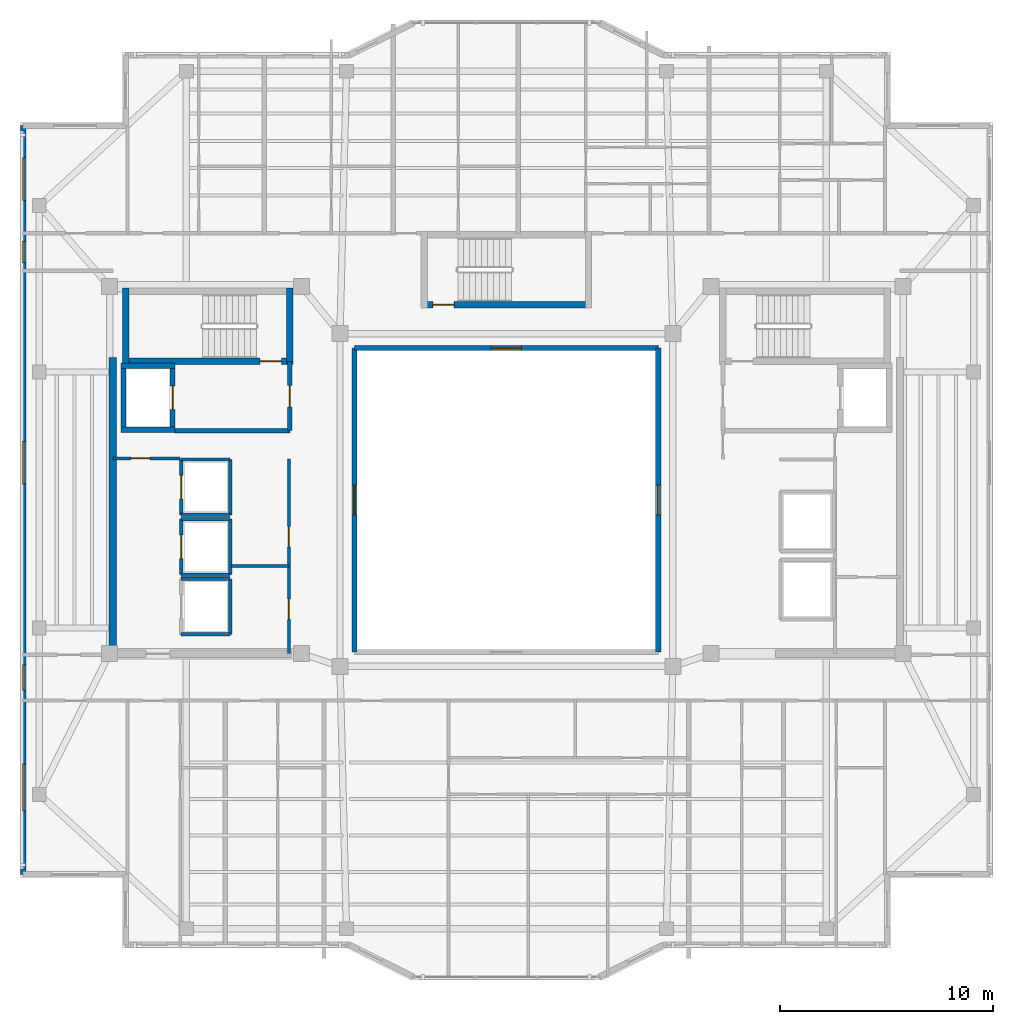
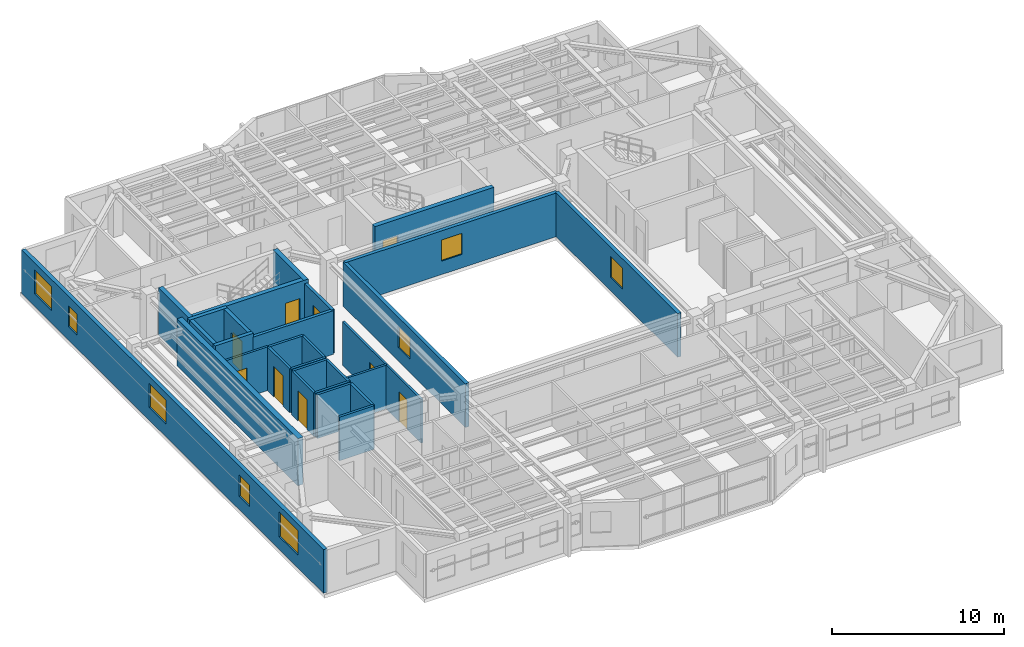
# One storey, part 7 of 14: 29 walls, 9 doors, 8 windows, 17 openings.
"""IFC4 building model written with IfcOpenShell, lengths in metres."""

from ifc_helpers import new_model, si_unit, direction, frame, frame_2d, origin, place, context, subcontext, project, spatial, rectangle, extrude, material, layer, layer_set, type_object, element, fill, save


model = new_model("IFC4")

# Units and contexts
model_context = context("Model", 3, precision=1e-05, world=origin(), true_north=direction((0.0, 1.0)))
body_context = subcontext(model_context, "Body", "Model", "MODEL_VIEW")
ifc_project = project(units=[si_unit("LENGTHUNIT", "METRE"), si_unit("AREAUNIT", "SQUARE_METRE"), si_unit("VOLUMEUNIT", "CUBIC_METRE"), si_unit("PLANEANGLEUNIT", "RADIAN"), si_unit("MASSUNIT", "GRAM", prefix="KILO")], contexts=[model_context])

# Site, building, storey
site_placement = place(None, origin())
site = spatial("IfcSite", under=ifc_project, at=site_placement, CompositionType="ELEMENT")
building_placement = place(site_placement, origin())
building = spatial("IfcBuilding", under=site, at=building_placement, Name="Tarnavaz Court Tower", CompositionType="ELEMENT")
storey_placement = place(building_placement, frame((0.0, 0.0, 264.949951171875)))
storey = spatial("IfcBuildingStorey", under=building, at=storey_placement, Name="L72", CompositionType="ELEMENT", Elevation=264.949951171875)

# Wall
ifc_material_1 = material(Name="Concrete C50/60", Category="concrete")
ifc_layer_1 = layer(ifc_material_1, 0.25)
ifc_layer_set_1 = layer_set([ifc_layer_1], Name="Concrete C50/60")
wall_type_1 = type_object("IfcWallType", Name="WL-CORE-250-C50", PredefinedType="SHEAR", material=ifc_layer_set_1)
wall_1_placement = place(storey_placement, frame((-17.949951171875, 3.175048828125, 0.0), z_axis=(0.0, 0.0, 1.0), x_axis=(0.0, 1.0, 0.0)))
element("IfcWall", 1, at=wall_1_placement, inside=storey, type_object=wall_type_1, Name="L72 Lift FL-W1 Shaft Wall 017", PredefinedType="SHEAR", context=body_context, shape_type="SweptSolid", body=[
    extrude(rectangle(XDim=3.25, YDim=0.25, at=frame_2d((1.625, 0.0))), origin(), (0.0, 0.0, 1.0), 3.35009765625),
])

# Wall, opening, door
wall_2_placement = place(storey_placement, frame((-15.64990234375, 3.175048828125, 0.0), z_axis=(0.0, 0.0, 1.0), x_axis=(0.0, 1.0, 0.0)))
wall_2 = element("IfcWall", 2, at=wall_2_placement, inside=storey, type_object=wall_type_1, Name="L72 Lift FL-W1 Shaft Wall 018", PredefinedType="SHEAR", context=body_context, shape_type="SweptSolid", body=[
    extrude(rectangle(XDim=3.25, YDim=0.25, at=frame_2d((1.625, 0.0))), origin(), (0.0, 0.0, 1.0), 3.35009765625),
])
opening_1_placement = place(wall_2_placement, frame((1.074951171875, 0.0, 0.0)))
opening_1 = element("IfcOpeningElement", 3, at=opening_1_placement, cuts=wall_2, Name="Opening LD1", PredefinedType="OPENING", context=body_context, shape_type="SweptSolid", body=[
    extrude(rectangle(XDim=1.10009765625, YDim=2.14990234375, at=frame_2d((0.550048828125, 1.074951171875))), frame((0.0, 0.135009765625, 0.0), z_axis=(0.0, -1.0, 0.0), x_axis=(1.0, 0.0, 0.0)), (0.0, 0.0, 1.0), 0.27001953125),
])
ifc_material_2 = material(Name="Stainless Steel", Category="steel")
door_type_1 = type_object("IfcDoorType", Name="DR-LD-1100", OperationType="NOTDEFINED", PredefinedType="DOOR", material=ifc_material_2)
door_1_placement = place(opening_1_placement, origin())
door_1 = element("IfcDoor", 4, at=door_1_placement, inside=storey, type_object=door_type_1, Name="L72 Lift Landing Door LD-FL-W1", OperationType="SLIDING_TO_LEFT", OverallHeight=2.14990234375, OverallWidth=1.10009765625, PredefinedType="DOOR", context=body_context, shape_type="SweptSolid", body=[
    extrude(rectangle(XDim=1.10009765625, YDim=2.14990234375, at=frame_2d((0.550048828125, 1.074951171875))), frame((0.0, 0.02490234375, 0.0), z_axis=(0.0, -1.0, 0.0), x_axis=(1.0, 0.0, 0.0)), (0.0, 0.0, 1.0), 0.050048828125),
])
fill(opening_1, door_1)

# Walls
for number, where, z_axis, x_axis, name in (
    (5, (-18.074951171875, 3.300048828125, 0.0), (0.0, 0.0, 1.0), (1.0, 0.0, 0.0), "L72 Lift FL-W1 Shaft Wall 019"),
    (6, (-18.074951171875, 6.300048828125, 0.0), (0.0, 0.0, 1.0), (1.0, 0.0, 0.0), "L72 Lift FL-W1 Shaft Wall 020"),
):
    element("IfcWall", number, at=place(storey_placement, frame(where, z_axis=z_axis, x_axis=x_axis)), inside=storey, type_object=wall_type_1, Name=name, PredefinedType="SHEAR", context=body_context, shape_type="SweptSolid", body=[
        extrude(rectangle(XDim=2.550048828125, YDim=0.25, at=frame_2d((1.27490234375, 0.0))), origin(), (0.0, 0.0, 1.0), 3.35009765625),
    ])

# Wall, opening, door
ifc_layer_2 = layer(ifc_material_1, 0.300048828125)
ifc_layer_set_2 = layer_set([ifc_layer_2], Name="Concrete C50/60")
wall_type_2 = type_object("IfcWallType", Name="WL-CORE-300-C50", PredefinedType="SHEAR", material=ifc_layer_set_2)
wall_3_placement = place(storey_placement, frame((-18.0, 6.5, 0.0), z_axis=(0.0, 0.0, 1.0), x_axis=(1.0, 0.0, 0.0)))
wall_3 = element("IfcWall", 7, at=wall_3_placement, inside=storey, type_object=wall_type_2, Name="L72 West Stair Core Wall 002", PredefinedType="SHEAR", context=body_context, shape_type="SweptSolid", body=[
    extrude(rectangle(XDim=8.0, YDim=0.300048828125, at=frame_2d((4.0, 0.0))), origin(), (0.0, 0.0, 1.0), 3.35009765625),
])
opening_2_placement = place(wall_3_placement, frame((6.449951171875, 0.0, 0.0)))
opening_2 = element("IfcOpeningElement", 8, at=opening_2_placement, cuts=wall_3, Name="Opening D01", PredefinedType="OPENING", context=body_context, shape_type="SweptSolid", body=[
    extrude(rectangle(XDim=1.0, YDim=2.14990234375, at=frame_2d((0.5, 1.074951171875))), frame((0.0, 0.159912109375, 0.0), z_axis=(0.0, -1.0, 0.0), x_axis=(1.0, 0.0, 0.0)), (0.0, 0.0, 1.0), 0.320068359375),
])
ifc_material_3 = material(Name="Fire-Rated Hardwood Timber Core", Category="wood")
door_type_2 = type_object("IfcDoorType", Name="DR-FD90-1000", OperationType="NOTDEFINED", PredefinedType="DOOR", material=ifc_material_3)
door_2_placement = place(opening_2_placement, origin())
door_2 = element("IfcDoor", 9, at=door_2_placement, inside=storey, type_object=door_type_2, Name="L72 Stair ST-W1 Exit Door", OperationType="SINGLE_SWING_LEFT", OverallHeight=2.14990234375, OverallWidth=1.0, PredefinedType="DOOR", context=body_context, shape_type="SweptSolid", body=[
    extrude(rectangle(XDim=1.0, YDim=2.14990234375, at=frame_2d((0.5, 1.074951171875))), frame((0.0, 0.02490234375, 0.0), z_axis=(0.0, -1.0, 0.0), x_axis=(1.0, 0.0, 0.0)), (0.0, 0.0, 1.0), 0.050048828125),
])
fill(opening_2, door_2)

# Walls
for number, where, z_axis, x_axis, name in (
    (10, (-17.85009765625, 6.35009765625, 0.0), (0.0, 0.0, 1.0), (0.0, 1.0, 0.0), "L72 West Stair Core Wall 003"),
    (11, (-10.14990234375, 6.35009765625, 0.0), (0.0, 0.0, 1.0), (0.0, 1.0, 0.0), "L72 West Stair Core Wall 004"),
):
    element("IfcWall", number, at=place(storey_placement, frame(where, z_axis=z_axis, x_axis=x_axis)), inside=storey, type_object=wall_type_2, Name=name, PredefinedType="SHEAR", context=body_context, shape_type="SweptSolid", body=[
        extrude(rectangle(XDim=3.58984375, YDim=0.300048828125, at=frame_2d((1.794921875, 0.0))), origin(), (0.0, 0.0, 1.0), 3.35009765625),
    ])

# Wall, opening, door
wall_4_placement = place(storey_placement, frame((-4.0, 9.14990234375, 0.0), z_axis=(0.0, 0.0, 1.0), x_axis=(1.0, 0.0, 0.0)))
wall_4 = element("IfcWall", 12, at=wall_4_placement, inside=storey, type_object=wall_type_2, Name="L72 North Stair Core Wall 010", PredefinedType="SHEAR", context=body_context, shape_type="SweptSolid", body=[
    extrude(rectangle(XDim=8.0, YDim=0.300048828125, at=frame_2d((4.0, 0.0))), origin(), (0.0, 0.0, 1.0), 3.35009765625),
])
opening_3_placement = place(wall_4_placement, frame((0.550048828125, 0.0, 0.0)))
opening_3 = element("IfcOpeningElement", 13, at=opening_3_placement, cuts=wall_4, Name="Opening D01", PredefinedType="OPENING", context=body_context, shape_type="SweptSolid", body=[
    extrude(rectangle(XDim=1.0, YDim=2.14990234375, at=frame_2d((0.5, 1.074951171875))), frame((0.0, 0.159912109375, 0.0), z_axis=(0.0, -1.0, 0.0), x_axis=(1.0, 0.0, 0.0)), (0.0, 0.0, 1.0), 0.320068359375),
])
door_3_placement = place(opening_3_placement, origin())
door_3 = element("IfcDoor", 14, at=door_3_placement, inside=storey, type_object=door_type_2, Name="L72 Stair ST-N1 Exit Door", OperationType="SINGLE_SWING_LEFT", OverallHeight=2.14990234375, OverallWidth=1.0, PredefinedType="DOOR", context=body_context, shape_type="SweptSolid", body=[
    extrude(rectangle(XDim=1.0, YDim=2.14990234375, at=frame_2d((0.5, 1.074951171875))), frame((0.0, 0.02490234375, 0.0), z_axis=(0.0, -1.0, 0.0), x_axis=(1.0, 0.0, 0.0)), (0.0, 0.0, 1.0), 0.050048828125),
])
fill(opening_3, door_3)

# Wall
ifc_layer_3 = layer(ifc_material_1, 0.35009765625)
ifc_layer_set_3 = layer_set([ifc_layer_3], Name="Concrete C50/60")
wall_type_3 = type_object("IfcWallType", Name="WL-CORE-350-C50", PredefinedType="SHEAR", material=ifc_layer_set_3)
wall_5_placement = place(storey_placement, frame((-18.449951171875, -7.375, 0.0), z_axis=(0.0, 0.0, 1.0), x_axis=(0.0, 1.0, 0.0)))
element("IfcWall", 15, at=wall_5_placement, inside=storey, type_object=wall_type_3, Name="L72 West Core Shear Wall 045", PredefinedType="SHEAR", context=body_context, shape_type="SweptSolid", body=[
    extrude(rectangle(XDim=14.050048828125, YDim=0.35009765625, at=frame_2d((7.02490234375, 0.0))), origin(), (0.0, 0.0, 1.0), 3.35009765625),
])

# Wall, openings, windows
ifc_material_4 = material(Name="Precast Concrete C40/50", Category="concrete")
ifc_layer_4 = layer(ifc_material_4, 0.260009765625)
ifc_layer_set_4 = layer_set([ifc_layer_4], Name="Precast Concrete C40/50")
wall_type_4 = type_object("IfcWallType", Name="WL-EXT-260", PredefinedType="SOLIDWALL", material=ifc_layer_set_4)
wall_6_placement = place(storey_placement, frame((-22.64990234375, -17.550048828125, 0.0), z_axis=(0.0, 0.0, 1.0), x_axis=(0.0, 1.0, 0.0)))
wall_6 = element("IfcWall", 16, at=wall_6_placement, inside=storey, type_object=wall_type_4, Name="L72 Exterior Terracotta Facade Wall 02", PredefinedType="SOLIDWALL", context=body_context, shape_type="SweptSolid", body=[
    extrude(rectangle(XDim=35.10009765625, YDim=0.260009765625, at=frame_2d((17.550048828125, 0.0))), origin(), (0.0, 0.0, 1.0), 3.10009765625),
])
opening_4_placement = place(wall_6_placement, frame((2.97509765625, 0.0, 0.89990234375)))
opening_4 = element("IfcOpeningElement", 17, at=opening_4_placement, cuts=wall_6, Name="Opening W07", PredefinedType="OPENING", context=body_context, shape_type="SweptSolid", body=[
    extrude(rectangle(XDim=2.199951171875, YDim=1.75, at=frame_2d((1.10009765625, 0.875))), frame((0.0, 0.139892578125, 0.0), z_axis=(0.0, -1.0, 0.0), x_axis=(1.0, 0.0, 0.0)), (0.0, 0.0, 1.0), 0.280029296875),
])
opening_5_placement = place(wall_6_placement, frame((8.625, 0.0, 0.949951171875)))
opening_5 = element("IfcOpeningElement", 18, at=opening_5_placement, cuts=wall_6, Name="Opening W05", PredefinedType="OPENING", context=body_context, shape_type="SweptSolid", body=[
    extrude(rectangle(XDim=1.199951171875, YDim=1.5, at=frame_2d((0.60009765625, 0.75))), frame((0.0, 0.139892578125, 0.0), z_axis=(0.0, -1.0, 0.0), x_axis=(1.0, 0.0, 0.0)), (0.0, 0.0, 1.0), 0.280029296875),
])
opening_6_placement = place(wall_6_placement, frame((18.300048828125, 0.0, 0.89990234375)))
opening_6 = element("IfcOpeningElement", 19, at=opening_6_placement, cuts=wall_6, Name="Opening W08", PredefinedType="OPENING", context=body_context, shape_type="SweptSolid", body=[
    extrude(rectangle(XDim=2.0, YDim=1.699951171875, at=frame_2d((1.0, 0.85009765625))), frame((0.0, 0.139892578125, 0.0), z_axis=(0.0, -1.0, 0.0), x_axis=(1.0, 0.0, 0.0)), (0.0, 0.0, 1.0), 0.280029296875),
])
opening_7_placement = place(wall_6_placement, frame((28.675048828125, 0.0, 0.949951171875)))
opening_7 = element("IfcOpeningElement", 20, at=opening_7_placement, cuts=wall_6, Name="Opening W14", PredefinedType="OPENING", context=body_context, shape_type="SweptSolid", body=[
    extrude(rectangle(XDim=1.0, YDim=1.5, at=frame_2d((0.5, 0.75))), frame((0.0, 0.139892578125, 0.0), z_axis=(0.0, -1.0, 0.0), x_axis=(1.0, 0.0, 0.0)), (0.0, 0.0, 1.0), 0.280029296875),
])
opening_8_placement = place(wall_6_placement, frame((31.60009765625, 0.0, 0.89990234375)))
opening_8 = element("IfcOpeningElement", 21, at=opening_8_placement, cuts=wall_6, Name="Opening W08", PredefinedType="OPENING", context=body_context, shape_type="SweptSolid", body=[
    extrude(rectangle(XDim=2.0, YDim=1.699951171875, at=frame_2d((1.0, 0.85009765625))), frame((0.0, 0.139892578125, 0.0), z_axis=(0.0, -1.0, 0.0), x_axis=(1.0, 0.0, 0.0)), (0.0, 0.0, 1.0), 0.280029296875),
])
ifc_material_5 = material(Name="Double-Glazed Solar Low-E Glass", Category="glass")
window_type_1 = type_object("IfcWindowType", Name="WN-APT-1000", PartitioningType="SINGLE_PANEL", PredefinedType="WINDOW", material=ifc_material_5)
window_1_placement = place(opening_7_placement, origin())
window_1 = element("IfcWindow", 22, at=window_1_placement, inside=storey, type_object=window_type_1, Name="L72 North-West Corner Corridor Window", OverallHeight=1.5, OverallWidth=1.0, PartitioningType="SINGLE_PANEL", PredefinedType="WINDOW", context=body_context, shape_type="SweptSolid", body=[
    extrude(rectangle(XDim=1.0, YDim=1.5, at=frame_2d((0.5, 0.75))), frame((0.0, 0.030029296875, 0.0), z_axis=(0.0, -1.0, 0.0), x_axis=(1.0, 0.0, 0.0)), (0.0, 0.0, 1.0), 0.06005859375),
])
fill(opening_7, window_1)
window_type_2 = type_object("IfcWindowType", Name="WN-APT-1200", PartitioningType="SINGLE_PANEL", PredefinedType="WINDOW", material=ifc_material_5)
window_2_placement = place(opening_5_placement, origin())
window_2 = element("IfcWindow", 23, at=window_2_placement, inside=storey, type_object=window_type_2, Name="L72 South-West Corner Corridor Window", OverallHeight=1.5, OverallWidth=1.199951171875, PartitioningType="SINGLE_PANEL", PredefinedType="WINDOW", context=body_context, shape_type="SweptSolid", body=[
    extrude(rectangle(XDim=1.199951171875, YDim=1.5, at=frame_2d((0.60009765625, 0.75))), frame((0.0, 0.030029296875, 0.0), z_axis=(0.0, -1.0, 0.0), x_axis=(1.0, 0.0, 0.0)), (0.0, 0.0, 1.0), 0.06005859375),
])
fill(opening_5, window_2)
window_type_3 = type_object("IfcWindowType", Name="WN-APT-2000", PartitioningType="DOUBLE_PANEL_VERTICAL", PredefinedType="WINDOW", material=ifc_material_5)
window_3_placement = place(opening_6_placement, origin())
window_3 = element("IfcWindow", 24, at=window_3_placement, inside=storey, type_object=window_type_3, Name="L72 West Wing Panoramic Study Gallery Window", OverallHeight=1.699951171875, OverallWidth=2.0, PartitioningType="SINGLE_PANEL", PredefinedType="WINDOW", context=body_context, shape_type="SweptSolid", body=[
    extrude(rectangle(XDim=2.0, YDim=1.699951171875, at=frame_2d((1.0, 0.85009765625))), frame((0.0, 0.030029296875, 0.0), z_axis=(0.0, -1.0, 0.0), x_axis=(1.0, 0.0, 0.0)), (0.0, 0.0, 1.0), 0.06005859375),
])
fill(opening_6, window_3)
window_4_placement = place(opening_8_placement, origin())
window_4 = element("IfcWindow", 25, at=window_4_placement, inside=storey, type_object=window_type_3, Name="L72 North-West Corner Sunroom Study Window", OverallHeight=1.699951171875, OverallWidth=2.0, PartitioningType="SINGLE_PANEL", PredefinedType="WINDOW", context=body_context, shape_type="SweptSolid", body=[
    extrude(rectangle(XDim=2.0, YDim=1.699951171875, at=frame_2d((1.0, 0.85009765625))), frame((0.0, 0.030029296875, 0.0), z_axis=(0.0, -1.0, 0.0), x_axis=(1.0, 0.0, 0.0)), (0.0, 0.0, 1.0), 0.06005859375),
])
fill(opening_8, window_4)
window_type_4 = type_object("IfcWindowType", Name="WN-APT-2200", PartitioningType="TRIPLE_PANEL_VERTICAL", PredefinedType="WINDOW", material=ifc_material_5)
window_5_placement = place(opening_4_placement, origin())
window_5 = element("IfcWindow", 26, at=window_5_placement, inside=storey, type_object=window_type_4, Name="L72 South-West Corner Reading Room Window", OverallHeight=1.75, OverallWidth=2.199951171875, PartitioningType="SINGLE_PANEL", PredefinedType="WINDOW", context=body_context, shape_type="SweptSolid", body=[
    extrude(rectangle(XDim=2.199951171875, YDim=1.75, at=frame_2d((1.10009765625, 0.875))), frame((0.0, 0.030029296875, 0.0), z_axis=(0.0, -1.0, 0.0), x_axis=(1.0, 0.0, 0.0)), (0.0, 0.0, 1.0), 0.06005859375),
])
fill(opening_4, window_5)

# Wall
ifc_material_6 = material(Name="Autoclaved Aerated Concrete Blockwork", Category="masonry")
ifc_layer_5 = layer(ifc_material_6, 0.199951171875)
ifc_layer_set_5 = layer_set([ifc_layer_5], Name="Autoclaved Aerated Concrete Blockwork")
wall_type_5 = type_object("IfcWallType", Name="WL-FIRE-200", PredefinedType="SOLIDWALL", material=ifc_layer_set_5)
wall_7_placement = place(storey_placement, frame((-15.550048828125, 3.25, 0.0), z_axis=(0.0, 0.0, 1.0), x_axis=(1.0, 0.0, 0.0)))
element("IfcWall", 27, at=wall_7_placement, inside=storey, type_object=wall_type_5, Name="L72 West Firefighting Lobby Wall 013", PredefinedType="SOLIDWALL", context=body_context, shape_type="SweptSolid", body=[
    extrude(rectangle(XDim=5.400146484375, YDim=0.199951171875, at=frame_2d((2.7001953125, 0.0))), origin(), (0.0, 0.0, 1.0), 3.10009765625),
])

# Wall, opening, door
wall_8_placement = place(storey_placement, frame((-10.14990234375, 3.25, 0.0), z_axis=(0.0, 0.0, 1.0), x_axis=(0.0, 1.0, 0.0)))
wall_8 = element("IfcWall", 28, at=wall_8_placement, inside=storey, type_object=wall_type_5, Name="L72 West Firefighting Lobby Wall 014", PredefinedType="SOLIDWALL", context=body_context, shape_type="SweptSolid", body=[
    extrude(rectangle(XDim=3.25, YDim=0.199951171875, at=frame_2d((1.625, 0.0))), origin(), (0.0, 0.0, 1.0), 3.10009765625),
])
opening_9_placement = place(wall_8_placement, frame((1.10009765625, 0.0, 0.0)))
opening_9 = element("IfcOpeningElement", 29, at=opening_9_placement, cuts=wall_8, Name="Opening D05", PredefinedType="OPENING", context=body_context, shape_type="SweptSolid", body=[
    extrude(rectangle(XDim=1.02001953125, YDim=2.14990234375, at=frame_2d((0.510009765625, 1.074951171875))), frame((0.0, 0.10986328125, 0.0), z_axis=(0.0, -1.0, 0.0), x_axis=(1.0, 0.0, 0.0)), (0.0, 0.0, 1.0), 0.219970703125),
])
door_type_3 = type_object("IfcDoorType", Name="DR-FD60-1000", OperationType="NOTDEFINED", PredefinedType="DOOR", material=ifc_material_3)
door_4_placement = place(opening_9_placement, origin())
door_4 = element("IfcDoor", 30, at=door_4_placement, inside=storey, type_object=door_type_3, Name="L72 West Firefighting Lobby Door", OperationType="SINGLE_SWING_RIGHT", OverallHeight=2.14990234375, OverallWidth=1.02001953125, PredefinedType="DOOR", context=body_context, shape_type="SweptSolid", body=[
    extrude(rectangle(XDim=1.02001953125, YDim=2.14990234375, at=frame_2d((0.510009765625, 1.074951171875))), frame((0.0, 0.02490234375, 0.0), z_axis=(0.0, -1.0, 0.0), x_axis=(1.0, 0.0, 0.0)), (0.0, 0.0, 1.0), 0.050048828125),
])
fill(opening_9, door_4)

ifc_material_7 = material(Name="Gypsum Plasterboard Acoustic Partition", Category="masonry")
ifc_layer_6 = layer(ifc_material_7, 0.139892578125)
ifc_layer_set_6 = layer_set([ifc_layer_6], Name="Gypsum Plasterboard Acoustic Partition")
wall_type_6 = type_object("IfcWallType", Name="WL-PART-150", PredefinedType="PARTITIONING", material=ifc_layer_set_6)
wall_9_placement = place(storey_placement, frame((-18.449951171875, 1.949951171875, 0.0), z_axis=(0.0, 0.0, 1.0), x_axis=(1.0, 0.0, 0.0)))
wall_9 = element("IfcWall", 31, at=wall_9_placement, inside=storey, type_object=wall_type_6, Name="L72 Interior Partition 049", PredefinedType="PARTITIONING", context=body_context, shape_type="SweptSolid", body=[
    extrude(rectangle(XDim=3.14990234375, YDim=0.139892578125, at=frame_2d((1.574951171875, 0.0))), origin(), (0.0, 0.0, 1.0), 3.10009765625),
])
opening_10_placement = place(wall_9_placement, frame((0.85009765625, 0.0, 0.0)))
opening_10 = element("IfcOpeningElement", 32, at=opening_10_placement, cuts=wall_9, Name="Opening D09", PredefinedType="OPENING", context=body_context, shape_type="SweptSolid", body=[
    extrude(rectangle(XDim=0.89990234375, YDim=2.080078125, at=frame_2d((0.449951171875, 1.0400390625))), frame((0.0, 0.079833984375, 0.0), z_axis=(0.0, -1.0, 0.0), x_axis=(1.0, 0.0, 0.0)), (0.0, 0.0, 1.0), 0.159912109375),
])
door_type_4 = type_object("IfcDoorType", Name="DR-FD30-900", OperationType="NOTDEFINED", PredefinedType="DOOR", material=ifc_material_3)
door_5_placement = place(opening_10_placement, origin())
door_5 = element("IfcDoor", 33, at=door_5_placement, inside=storey, type_object=door_type_4, Name="L72 West Core Electrical Room Door", OperationType="SINGLE_SWING_RIGHT", OverallHeight=2.080078125, OverallWidth=0.89990234375, PredefinedType="DOOR", context=body_context, shape_type="SweptSolid", body=[
    extrude(rectangle(XDim=0.89990234375, YDim=2.080078125, at=frame_2d((0.449951171875, 1.0400390625))), frame((0.0, 0.02490234375, 0.0), z_axis=(0.0, -1.0, 0.0), x_axis=(1.0, 0.0, 0.0)), (0.0, 0.0, 1.0), 0.050048828125),
])
fill(opening_10, door_5)

# Wall, openings, doors
wall_10_placement = place(storey_placement, frame((-10.199951171875, -7.199951171875, 0.0), z_axis=(0.0, 0.0, 1.0), x_axis=(0.0, 1.0, 0.0)))
wall_10 = element("IfcWall", 34, at=wall_10_placement, inside=storey, type_object=wall_type_6, Name="L72 West Reclaimed Core Wall 050", PredefinedType="PARTITIONING", context=body_context, shape_type="SweptSolid", body=[
    extrude(rectangle(XDim=9.119873046875, YDim=0.139892578125, at=frame_2d((4.56005859375, 0.0))), origin(), (0.0, 0.0, 1.0), 3.10009765625),
])
opening_11_placement = place(wall_10_placement, frame((1.60009765625, 0.0, 0.0)))
opening_11 = element("IfcOpeningElement", 35, at=opening_11_placement, cuts=wall_10, Name="Opening D08", PredefinedType="OPENING", context=body_context, shape_type="SweptSolid", body=[
    extrude(rectangle(XDim=0.949951171875, YDim=2.1201171875, at=frame_2d((0.47509765625, 1.06005859375))), frame((0.0, 0.079833984375, 0.0), z_axis=(0.0, -1.0, 0.0), x_axis=(1.0, 0.0, 0.0)), (0.0, 0.0, 1.0), 0.159912109375),
])
opening_12_placement = place(wall_10_placement, frame((5.0, 0.0, 0.0)))
opening_12 = element("IfcOpeningElement", 36, at=opening_12_placement, cuts=wall_10, Name="Opening D08", PredefinedType="OPENING", context=body_context, shape_type="SweptSolid", body=[
    extrude(rectangle(XDim=0.949951171875, YDim=2.1201171875, at=frame_2d((0.47509765625, 1.06005859375))), frame((0.0, 0.079833984375, 0.0), z_axis=(0.0, -1.0, 0.0), x_axis=(1.0, 0.0, 0.0)), (0.0, 0.0, 1.0), 0.159912109375),
])
door_type_5 = type_object("IfcDoorType", Name="DR-FD30-950", OperationType="NOTDEFINED", PredefinedType="DOOR", material=ifc_material_3)
door_6_placement = place(opening_11_placement, origin())
door_6 = element("IfcDoor", 37, at=door_6_placement, inside=storey, type_object=door_type_5, Name="L72 West Study Room Door", OperationType="SINGLE_SWING_LEFT", OverallHeight=2.1201171875, OverallWidth=0.949951171875, PredefinedType="DOOR", context=body_context, shape_type="SweptSolid", body=[
    extrude(rectangle(XDim=0.949951171875, YDim=2.1201171875, at=frame_2d((0.47509765625, 1.06005859375))), frame((0.0, 0.02490234375, 0.0), z_axis=(0.0, -1.0, 0.0), x_axis=(1.0, 0.0, 0.0)), (0.0, 0.0, 1.0), 0.050048828125),
])
fill(opening_11, door_6)
door_7_placement = place(opening_12_placement, origin())
door_7 = element("IfcDoor", 38, at=door_7_placement, inside=storey, type_object=door_type_5, Name="L72 West Laundry Room Door", OperationType="SINGLE_SWING_RIGHT", OverallHeight=2.1201171875, OverallWidth=0.949951171875, PredefinedType="DOOR", context=body_context, shape_type="SweptSolid", body=[
    extrude(rectangle(XDim=0.949951171875, YDim=2.1201171875, at=frame_2d((0.47509765625, 1.06005859375))), frame((0.0, 0.02490234375, 0.0), z_axis=(0.0, -1.0, 0.0), x_axis=(1.0, 0.0, 0.0)), (0.0, 0.0, 1.0), 0.050048828125),
])
fill(opening_12, door_7)

# Walls
wall_11_placement = place(storey_placement, frame((-12.89990234375, -3.10009765625, 0.0), z_axis=(0.0, 0.0, 1.0), x_axis=(1.0, 0.0, 0.0)))
element("IfcWall", 39, at=wall_11_placement, inside=storey, type_object=wall_type_6, Name="L72 Interior Partition 051", PredefinedType="PARTITIONING", context=body_context, shape_type="SweptSolid", body=[
    extrude(rectangle(XDim=2.699951171875, YDim=0.139892578125, at=frame_2d((1.35009765625, 0.0))), origin(), (0.0, 0.0, 1.0), 3.10009765625),
])
ifc_layer_7 = layer(ifc_material_6, 0.159912109375)
ifc_layer_set_7 = layer_set([ifc_layer_7], Name="Autoclaved Aerated Concrete Blockwork")
wall_type_7 = type_object("IfcWallType", Name="WL-SHAFT-150", PredefinedType="SOLIDWALL", material=ifc_layer_set_7)
wall_12_placement = place(storey_placement, frame((-12.949951171875, -6.300048828125, 0.0), z_axis=(0.0, 0.0, 1.0), x_axis=(0.0, 1.0, 0.0)))
element("IfcWall", 40, at=wall_12_placement, inside=storey, type_object=wall_type_7, Name="L72 Lift PL-H1 Shaft Wall 022", PredefinedType="SOLIDWALL", context=body_context, shape_type="SweptSolid", body=[
    extrude(rectangle(XDim=2.60009765625, YDim=0.159912109375, at=frame_2d((1.300048828125, 0.0))), origin(), (0.0, 0.0, 1.0), 3.10009765625),
])
for number, where, z_axis, x_axis, name in (
    (41, (-15.25, -6.300048828125, 0.0), (0.0, 0.0, 1.0), (1.0, 0.0, 0.0), "L72 Lift PL-H1 Shaft Wall 023"),
    (42, (-15.25, -3.699951171875, 0.0), (0.0, 0.0, 1.0), (1.0, 0.0, 0.0), "L72 Lift PL-H1 Shaft Wall 024"),
):
    element("IfcWall", number, at=place(storey_placement, frame(where, z_axis=z_axis, x_axis=x_axis)), inside=storey, type_object=wall_type_7, Name=name, PredefinedType="SOLIDWALL", context=body_context, shape_type="SweptSolid", body=[
        extrude(rectangle(XDim=2.300048828125, YDim=0.159912109375, at=frame_2d((1.14990234375, 0.0))), origin(), (0.0, 0.0, 1.0), 3.10009765625),
    ])

# Wall, opening, door
wall_13_placement = place(storey_placement, frame((-15.25, -3.5, 0.0), z_axis=(0.0, 0.0, 1.0), x_axis=(0.0, 1.0, 0.0)))
wall_13 = element("IfcWall", 43, at=wall_13_placement, inside=storey, type_object=wall_type_7, Name="L72 Lift PL-H2 Shaft Wall 025", PredefinedType="SOLIDWALL", context=body_context, shape_type="SweptSolid", body=[
    extrude(rectangle(XDim=2.60009765625, YDim=0.159912109375, at=frame_2d((1.300048828125, 0.0))), origin(), (0.0, 0.0, 1.0), 3.10009765625),
])
opening_13_placement = place(wall_13_placement, frame((0.75, 0.0, 0.0)))
opening_13 = element("IfcOpeningElement", 44, at=opening_13_placement, cuts=wall_13, Name="Opening LD1", PredefinedType="OPENING", context=body_context, shape_type="SweptSolid", body=[
    extrude(rectangle(XDim=1.10009765625, YDim=2.14990234375, at=frame_2d((0.550048828125, 1.074951171875))), frame((0.0, 0.08984375, 0.0), z_axis=(0.0, -1.0, 0.0), x_axis=(1.0, 0.0, 0.0)), (0.0, 0.0, 1.0), 0.179931640625),
])
door_8_placement = place(opening_13_placement, origin())
door_8 = element("IfcDoor", 45, at=door_8_placement, inside=storey, type_object=door_type_1, Name="L72 Lift Landing Door LD-PL-H2", OperationType="SLIDING_TO_LEFT", OverallHeight=2.14990234375, OverallWidth=1.10009765625, PredefinedType="DOOR", context=body_context, shape_type="SweptSolid", body=[
    extrude(rectangle(XDim=1.10009765625, YDim=2.14990234375, at=frame_2d((0.550048828125, 1.074951171875))), frame((0.0, 0.02490234375, 0.0), z_axis=(0.0, -1.0, 0.0), x_axis=(1.0, 0.0, 0.0)), (0.0, 0.0, 1.0), 0.050048828125),
])
fill(opening_13, door_8)

# Walls
wall_14_placement = place(storey_placement, frame((-12.949951171875, -3.5, 0.0), z_axis=(0.0, 0.0, 1.0), x_axis=(0.0, 1.0, 0.0)))
element("IfcWall", 46, at=wall_14_placement, inside=storey, type_object=wall_type_7, Name="L72 Lift PL-H2 Shaft Wall 026", PredefinedType="SOLIDWALL", context=body_context, shape_type="SweptSolid", body=[
    extrude(rectangle(XDim=2.60009765625, YDim=0.159912109375, at=frame_2d((1.300048828125, 0.0))), origin(), (0.0, 0.0, 1.0), 3.10009765625),
])
for number, where, z_axis, x_axis, name in (
    (47, (-15.25, -3.5, 0.0), (0.0, 0.0, 1.0), (1.0, 0.0, 0.0), "L72 Lift PL-H2 Shaft Wall 027"),
    (48, (-15.25, -0.89990234375, 0.0), (0.0, 0.0, 1.0), (1.0, 0.0, 0.0), "L72 Lift PL-H2 Shaft Wall 028"),
):
    element("IfcWall", number, at=place(storey_placement, frame(where, z_axis=z_axis, x_axis=x_axis)), inside=storey, type_object=wall_type_7, Name=name, PredefinedType="SOLIDWALL", context=body_context, shape_type="SweptSolid", body=[
        extrude(rectangle(XDim=2.300048828125, YDim=0.159912109375, at=frame_2d((1.14990234375, 0.0))), origin(), (0.0, 0.0, 1.0), 3.10009765625),
    ])

# Wall, opening, door
wall_15_placement = place(storey_placement, frame((-15.25, -0.699951171875, 0.0), z_axis=(0.0, 0.0, 1.0), x_axis=(0.0, 1.0, 0.0)))
wall_15 = element("IfcWall", 49, at=wall_15_placement, inside=storey, type_object=wall_type_7, Name="L72 Lift PL-H3 Shaft Wall 029", PredefinedType="SOLIDWALL", context=body_context, shape_type="SweptSolid", body=[
    extrude(rectangle(XDim=2.599853515625, YDim=0.159912109375, at=frame_2d((1.2998046875, 0.0))), origin(), (0.0, 0.0, 1.0), 3.10009765625),
])
opening_14_placement = place(wall_15_placement, frame((0.75, 0.0, 0.0)))
opening_14 = element("IfcOpeningElement", 50, at=opening_14_placement, cuts=wall_15, Name="Opening LD1", PredefinedType="OPENING", context=body_context, shape_type="SweptSolid", body=[
    extrude(rectangle(XDim=1.10009765625, YDim=2.14990234375, at=frame_2d((0.550048828125, 1.074951171875))), frame((0.0, 0.08984375, 0.0), z_axis=(0.0, -1.0, 0.0), x_axis=(1.0, 0.0, 0.0)), (0.0, 0.0, 1.0), 0.179931640625),
])
door_9_placement = place(opening_14_placement, origin())
door_9 = element("IfcDoor", 51, at=door_9_placement, inside=storey, type_object=door_type_1, Name="L72 Lift Landing Door LD-PL-H3", OperationType="SLIDING_TO_LEFT", OverallHeight=2.14990234375, OverallWidth=1.10009765625, PredefinedType="DOOR", context=body_context, shape_type="SweptSolid", body=[
    extrude(rectangle(XDim=1.10009765625, YDim=2.14990234375, at=frame_2d((0.550048828125, 1.074951171875))), frame((0.0, 0.02490234375, 0.0), z_axis=(0.0, -1.0, 0.0), x_axis=(1.0, 0.0, 0.0)), (0.0, 0.0, 1.0), 0.050048828125),
])
fill(opening_14, door_9)

# Walls
wall_16_placement = place(storey_placement, frame((-12.949951171875, -0.699951171875, 0.0), z_axis=(0.0, 0.0, 1.0), x_axis=(0.0, 1.0, 0.0)))
element("IfcWall", 52, at=wall_16_placement, inside=storey, type_object=wall_type_7, Name="L72 Lift PL-H3 Shaft Wall 030", PredefinedType="SOLIDWALL", context=body_context, shape_type="SweptSolid", body=[
    extrude(rectangle(XDim=2.599853515625, YDim=0.159912109375, at=frame_2d((1.2998046875, 0.0))), origin(), (0.0, 0.0, 1.0), 3.10009765625),
])
for number, where, z_axis, x_axis, name in (
    (53, (-15.25, -0.699951171875, 0.0), (0.0, 0.0, 1.0), (1.0, 0.0, 0.0), "L72 Lift PL-H3 Shaft Wall 031"),
    (54, (-15.25, 1.89990234375, 0.0), (0.0, 0.0, 1.0), (1.0, 0.0, 0.0), "L72 Lift PL-H3 Shaft Wall 032"),
):
    element("IfcWall", number, at=place(storey_placement, frame(where, z_axis=z_axis, x_axis=x_axis)), inside=storey, type_object=wall_type_7, Name=name, PredefinedType="SOLIDWALL", context=body_context, shape_type="SweptSolid", body=[
        extrude(rectangle(XDim=2.300048828125, YDim=0.159912109375, at=frame_2d((1.14990234375, 0.0))), origin(), (0.0, 0.0, 1.0), 3.10009765625),
    ])

# Wall, opening, window
ifc_layer_8 = layer(ifc_material_4, 0.239990234375)
ifc_layer_set_8 = layer_set([ifc_layer_8], Name="Precast Concrete C40/50")
wall_type_8 = type_object("IfcWallType", Name="WL-WELL-240", PredefinedType="SOLIDWALL", material=ifc_layer_set_8)
wall_17_placement = place(storey_placement, frame((7.1201171875, -7.1201171875, 0.0), z_axis=(0.0, 0.0, 1.0), x_axis=(0.0, 1.0, 0.0)))
wall_17 = element("IfcWall", 55, at=wall_17_placement, inside=storey, type_object=wall_type_8, Name="L72 Badgir Light-Well Exterior Wall E", PredefinedType="SOLIDWALL", context=body_context, shape_type="SweptSolid", body=[
    extrude(rectangle(XDim=14.240234375, YDim=0.239990234375, at=frame_2d((7.1201171875, 0.0))), origin(), (0.0, 0.0, 1.0), 3.10009765625),
])
opening_15_placement = place(wall_17_placement, frame((6.419921875, 0.0, 0.949951171875)))
opening_15 = element("IfcOpeningElement", 56, at=opening_15_placement, cuts=wall_17, Name="Opening W13", PredefinedType="OPENING", context=body_context, shape_type="SweptSolid", body=[
    extrude(rectangle(XDim=1.39990234375, YDim=1.5, at=frame_2d((0.699951171875, 0.75))), frame((0.0, 0.1298828125, 0.0), z_axis=(0.0, -1.0, 0.0), x_axis=(1.0, 0.0, 0.0)), (0.0, 0.0, 1.0), 0.260009765625),
])
window_type_5 = type_object("IfcWindowType", Name="WN-WEL-1400", PartitioningType="SINGLE_PANEL", PredefinedType="WINDOW", material=ifc_material_5)
window_6_placement = place(opening_15_placement, origin())
window_6 = element("IfcWindow", 57, at=window_6_placement, inside=storey, type_object=window_type_5, Name="L72 Courtyard Gallery Window E", OverallHeight=1.5, OverallWidth=1.39990234375, PartitioningType="SINGLE_PANEL", PredefinedType="WINDOW", context=body_context, shape_type="SweptSolid", body=[
    extrude(rectangle(XDim=1.39990234375, YDim=1.5, at=frame_2d((0.699951171875, 0.75))), frame((0.0, 0.030029296875, 0.0), z_axis=(0.0, -1.0, 0.0), x_axis=(1.0, 0.0, 0.0)), (0.0, 0.0, 1.0), 0.06005859375),
])
fill(opening_15, window_6)

wall_18_placement = place(storey_placement, frame((7.1201171875, 7.1201171875, 0.0), z_axis=(0.0, 0.0, 1.0), x_axis=(-1.0, 0.0, 0.0)))
wall_18 = element("IfcWall", 58, at=wall_18_placement, inside=storey, type_object=wall_type_8, Name="L72 Badgir Light-Well Exterior Wall N", PredefinedType="SOLIDWALL", context=body_context, shape_type="SweptSolid", body=[
    extrude(rectangle(XDim=14.240234375, YDim=0.239990234375, at=frame_2d((7.1201171875, 0.0))), origin(), (0.0, 0.0, 1.0), 3.10009765625),
])
opening_16_placement = place(wall_18_placement, frame((6.419921875, 0.0, 0.949951171875)))
opening_16 = element("IfcOpeningElement", 59, at=opening_16_placement, cuts=wall_18, Name="Opening W13", PredefinedType="OPENING", context=body_context, shape_type="SweptSolid", body=[
    extrude(rectangle(XDim=1.39990234375, YDim=1.5, at=frame_2d((0.699951171875, 0.75))), frame((0.0, 0.1298828125, 0.0), z_axis=(0.0, -1.0, 0.0), x_axis=(1.0, 0.0, 0.0)), (0.0, 0.0, 1.0), 0.260009765625),
])
window_7_placement = place(opening_16_placement, origin())
window_7 = element("IfcWindow", 60, at=window_7_placement, inside=storey, type_object=window_type_5, Name="L72 Courtyard Gallery Window N", OverallHeight=1.5, OverallWidth=1.39990234375, PartitioningType="SINGLE_PANEL", PredefinedType="WINDOW", context=body_context, shape_type="SweptSolid", body=[
    extrude(rectangle(XDim=1.39990234375, YDim=1.5, at=frame_2d((0.699951171875, 0.75))), frame((0.0, 0.030029296875, 0.0), z_axis=(0.0, -1.0, 0.0), x_axis=(1.0, 0.0, 0.0)), (0.0, 0.0, 1.0), 0.06005859375),
])
fill(opening_16, window_7)

wall_19_placement = place(storey_placement, frame((-7.1201171875, 7.1201171875, 0.0), z_axis=(0.0, 0.0, 1.0), x_axis=(0.0, -1.0, 0.0)))
wall_19 = element("IfcWall", 61, at=wall_19_placement, inside=storey, type_object=wall_type_8, Name="L72 Badgir Light-Well Exterior Wall W", PredefinedType="SOLIDWALL", context=body_context, shape_type="SweptSolid", body=[
    extrude(rectangle(XDim=14.240234375, YDim=0.239990234375, at=frame_2d((7.1201171875, 0.0))), origin(), (0.0, 0.0, 1.0), 3.10009765625),
])
opening_17_placement = place(wall_19_placement, frame((6.419921875, 0.0, 0.949951171875)))
opening_17 = element("IfcOpeningElement", 62, at=opening_17_placement, cuts=wall_19, Name="Opening W13", PredefinedType="OPENING", context=body_context, shape_type="SweptSolid", body=[
    extrude(rectangle(XDim=1.39990234375, YDim=1.5, at=frame_2d((0.699951171875, 0.75))), frame((0.0, 0.1298828125, 0.0), z_axis=(0.0, -1.0, 0.0), x_axis=(1.0, 0.0, 0.0)), (0.0, 0.0, 1.0), 0.260009765625),
])
window_8_placement = place(opening_17_placement, origin())
window_8 = element("IfcWindow", 63, at=window_8_placement, inside=storey, type_object=window_type_5, Name="L72 Courtyard Gallery Window W", OverallHeight=1.5, OverallWidth=1.39990234375, PartitioningType="SINGLE_PANEL", PredefinedType="WINDOW", context=body_context, shape_type="SweptSolid", body=[
    extrude(rectangle(XDim=1.39990234375, YDim=1.5, at=frame_2d((0.699951171875, 0.75))), frame((0.0, 0.030029296875, 0.0), z_axis=(0.0, -1.0, 0.0), x_axis=(1.0, 0.0, 0.0)), (0.0, 0.0, 1.0), 0.06005859375),
])
fill(opening_17, window_8)

save(model, "model.ifc")
